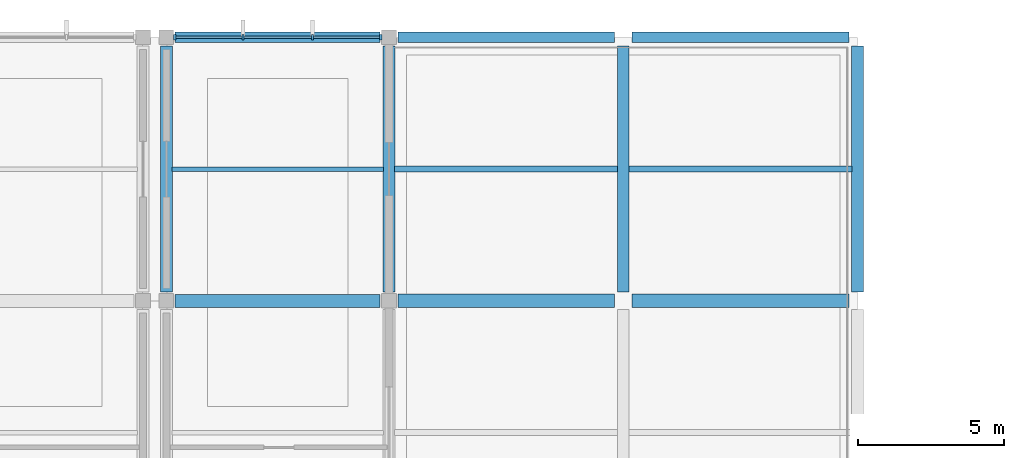
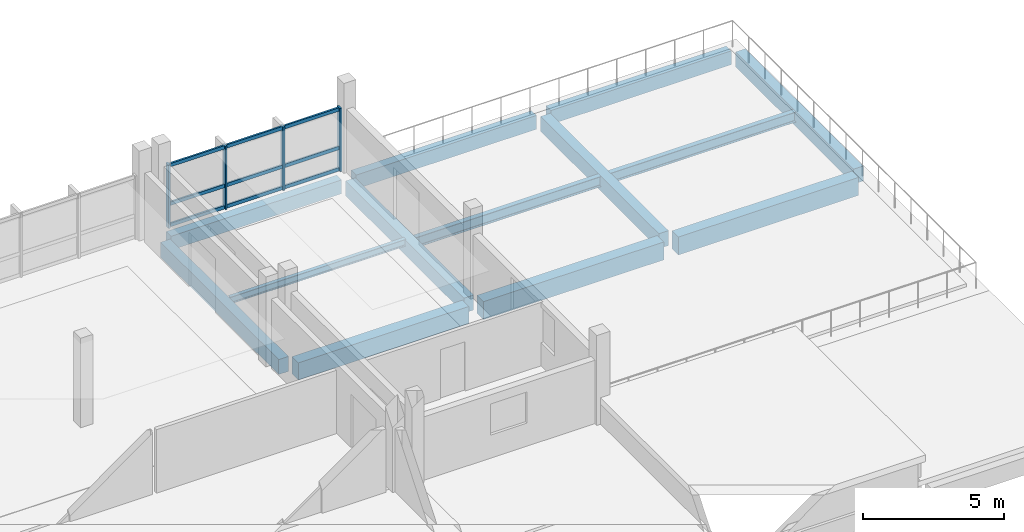
# One storey, part 41 of 57: 13 beams, 13 members, 1 element without a shape of its own.
"""IFC4 building model written with IfcOpenShell, lengths in metres."""

from ifc_helpers import new_model, si_unit, direction, frame, origin, origin_2d, place, context, subcontext, project, spatial, rectangle, i_section, extrude, material, material_profile, profile_set, type_object, element, aggregate, save


model = new_model("IFC4")

# Units and contexts
model_context = context("Model", 3, precision=1e-05, world=origin(), true_north=direction((0.0, 1.0)))
body_context = subcontext(model_context, "Body", "Model", "MODEL_VIEW")
ifc_project = project(units=[si_unit("LENGTHUNIT", "METRE"), si_unit("AREAUNIT", "SQUARE_METRE"), si_unit("VOLUMEUNIT", "CUBIC_METRE"), si_unit("PLANEANGLEUNIT", "RADIAN"), si_unit("MASSUNIT", "GRAM", prefix="KILO"), si_unit("THERMODYNAMICTEMPERATUREUNIT", "KELVIN"), si_unit("POWERUNIT", "WATT")], contexts=[model_context])

# Site, building, storey
site_placement = place(None, origin())
site = spatial("IfcSite", under=ifc_project, at=site_placement, CompositionType="ELEMENT")
building_placement = place(site_placement, origin())
building = spatial("IfcBuilding", under=site, at=building_placement, Name="Kronsvod Quay Wholesale Market", CompositionType="ELEMENT")
storey_placement = place(building_placement, frame((0.0, 0.0, 13.199951171875)))
storey = spatial("IfcBuildingStorey", under=building, at=storey_placement, Name="L03", CompositionType="ELEMENT", Elevation=13.199951171875)

# Beams
ifc_material_1 = material(Name="Precast concrete C40/50", Category="concrete")
ifc_material_profile_1 = material_profile(ifc_material_1, rectangle(XDim=0.39990234375, YDim=0.64990234375, at=origin_2d()), Name="PCB400x650")
ifc_profile_set_1 = profile_set([ifc_material_profile_1], Name="Precast concrete C40/50")
beam_type_1 = type_object("IfcBeamType", Name="Beam_PCB400x650", PredefinedType="BEAM", material=ifc_profile_set_1)
for number, where, z_axis, x_axis, name in (
    (1, (128.39990234375, 117.300048828125, -0.635009765625), (0.0, 1.0, 0.0), (-1.0, 0.0, 0.0), "BMY-L03-1284-1170"),
    (2, (136.0, 117.300048828125, -0.635009765625), (0.0, 1.0, 0.0), (-1.0, 0.0, 0.0), "BMY-L03-1360-1170"),
    (3, (144.0, 117.300048828125, -0.635009765625), (0.0, 1.0, 0.0), (-1.0, 0.0, 0.0), "BMY-L03-1440-1170"),
    (4, (152.0, 117.300048828125, -0.635009765625), (0.0, 1.0, 0.0), (-1.0, 0.0, 0.0), "BMY-L03-1520-1170"),
):
    element("IfcBeam", number, at=place(storey_placement, frame(where, z_axis=z_axis, x_axis=x_axis)), inside=storey, type_object=beam_type_1, Name=name, PredefinedType="BEAM", context=body_context, shape_type="SweptSolid", body=[
        extrude(rectangle(XDim=0.39990234375, YDim=0.64990234375, at=origin_2d()), origin(), (0.0, 0.0, 1.0), 8.39990234375),
    ])
ifc_material_2 = material(Name="Precast concrete C40/50", Category="concrete")
ifc_material_profile_2 = material_profile(ifc_material_2, rectangle(XDim=0.449951171875, YDim=0.75, at=origin_2d()), Name="PCB450x750")
ifc_profile_set_2 = profile_set([ifc_material_profile_2], Name="Precast concrete C40/50")
beam_type_2 = type_object("IfcBeamType", Name="Beam_PCB450x750", PredefinedType="BEAM", material=ifc_profile_set_2)
beam_1_placement = place(storey_placement, frame((128.699951171875, 117.0, -0.68505859375), z_axis=(1.0, 0.0, 0.0), x_axis=(0.0, 1.0, 0.0)))
element("IfcBeam", 5, at=beam_1_placement, inside=storey, type_object=beam_type_2, Name="BMX-L03-1284-1170", PredefinedType="BEAM", context=body_context, shape_type="SweptSolid", body=[
    extrude(rectangle(XDim=0.449951171875, YDim=0.75, at=origin_2d()), origin(), (0.0, 0.0, 1.0), 7.0),
])
ifc_material_3 = material(Name="Precast concrete C40/50", Category="concrete")
ifc_material_profile_3 = material_profile(ifc_material_3, rectangle(XDim=0.4599609375, YDim=0.780029296875, at=origin_2d()), Name="PB-03")
ifc_profile_set_3 = profile_set([ifc_material_profile_3], Name="Precast concrete C40/50")
beam_type_3 = type_object("IfcBeamType", Name="Beam_PCB460x780", PredefinedType="BEAM", material=ifc_profile_set_3)
for number, where, z_axis, x_axis, name in (
    (6, (136.300048828125, 117.0, -0.699951171875), (1.0, 0.0, 0.0), (0.0, 1.0, 0.0), "BMX-L03-1360-1170"),
    (7, (144.300048828125, 117.0, -0.699951171875), (1.0, 0.0, 0.0), (0.0, 1.0, 0.0), "BMX-L03-1440-1170"),
):
    element("IfcBeam", number, at=place(storey_placement, frame(where, z_axis=z_axis, x_axis=x_axis)), inside=storey, type_object=beam_type_3, Name=name, PredefinedType="BEAM", context=body_context, shape_type="SweptSolid", body=[
        extrude(rectangle(XDim=0.4599609375, YDim=0.780029296875, at=origin_2d()), origin(), (0.0, 0.0, 1.0), 7.39990234375),
    ])
ifc_material_4 = material(Name="Steel S355", Category="steel")
ifc_material_profile_4 = material_profile(ifc_material_4, i_section(OverallWidth=0.198974609375, OverallDepth=0.446044921875, WebThickness=0.008056640625, FlangeThickness=0.011962890625, FilletRadius=0.01806640625, at=origin_2d()), Name="45B1")
ifc_profile_set_4 = profile_set([ifc_material_profile_4], Name="Steel S355")
beam_type_4 = type_object("IfcBeamType", Name="Beam_Steel45B1", PredefinedType="BEAM", material=ifc_profile_set_4)
for number, where, z_axis, x_axis, name in (
    (8, (136.195068359375, 121.5, -0.532958984375), (1.0, 0.0, 0.0), (0.0, 1.0, 0.0), "JSTX-L03-1360-1170"),
    (9, (144.195068359375, 121.5, -0.532958984375), (1.0, 0.0, 0.0), (0.0, 1.0, 0.0), "JSTX-L03-1440-1170"),
):
    element("IfcBeam", number, at=place(storey_placement, frame(where, z_axis=z_axis, x_axis=x_axis)), inside=storey, type_object=beam_type_4, Name=name, PredefinedType="BEAM", context=body_context, shape_type="SweptSolid", body=[
        extrude(i_section(OverallWidth=0.198974609375, OverallDepth=0.446044921875, WebThickness=0.008056640625, FlangeThickness=0.011962890625, FilletRadius=0.01806640625, at=origin_2d()), origin(), (0.0, 0.0, 1.0), 7.60986328125),
    ])
ifc_material_5 = material(Name="Steel S355", Category="steel")
ifc_material_profile_5 = material_profile(ifc_material_5, i_section(OverallWidth=0.14990234375, OverallDepth=0.300048828125, WebThickness=0.006591796875, FlangeThickness=0.009033203125, FilletRadius=0.012939453125, at=origin_2d()), Name="30B2")
ifc_profile_set_5 = profile_set([ifc_material_profile_5], Name="Steel S355")
beam_type_5 = type_object("IfcBeamType", Name="Joist_Steel30B2", PredefinedType="JOIST", material=ifc_profile_set_5)
beam_2_placement = place(storey_placement, frame((128.594970703125, 121.5, -0.39990234375), z_axis=(1.0, 0.0, 0.0), x_axis=(0.0, 1.0, 0.0)))
element("IfcBeam", 10, at=beam_2_placement, inside=storey, type_object=beam_type_5, Name="JSTX-L03-1284-1170", PredefinedType="JOIST", context=body_context, shape_type="SweptSolid", body=[
    extrude(i_section(OverallWidth=0.14990234375, OverallDepth=0.300048828125, WebThickness=0.006591796875, FlangeThickness=0.009033203125, FilletRadius=0.012939453125, at=origin_2d()), origin(), (0.0, 0.0, 1.0), 7.2099609375),
])

# Curtain wall, members
ifc_material_6 = material(Name="Thermally broken aluminium and triple low-E glazing", Category="aluminium")
curtain_wall_type = type_object("IfcCurtainWallType", Name="CW_Harbour76x30", PredefinedType="NOTDEFINED", material=ifc_material_6)
curtain_wall_placement = place(storey_placement, origin())
curtain_wall = element("IfcCurtainWall", 11, at=curtain_wall_placement, inside=storey, type_object=curtain_wall_type, Name="CWGX-L03-1284-1260", PredefinedType="NOTDEFINED")
ifc_material_7 = material(Name="Anodised aluminium", Category="aluminium")
ifc_material_profile_6 = material_profile(ifc_material_7, rectangle(XDim=0.074951171875, YDim=0.199951171875, at=origin_2d()), Name="ALUM75x200")
ifc_profile_set_6 = profile_set([ifc_material_profile_6], Name="Anodised aluminium")
member_type_1 = type_object("IfcMemberType", Name="Mullion_ALU75x200", PredefinedType="MULLION", material=ifc_profile_set_6)
member_1_placement = place(storey_placement, frame((135.717529296875, 126.0, 0.0), z_axis=(0.0, 0.0, 1.0), x_axis=(1.0, 0.0, 0.0)))
member_1 = element("IfcMember", 12, at=member_1_placement, type_object=member_type_1, Name="CWGX-L03-1284-1260-M1", PredefinedType="MULLION", context=body_context, shape_type="SweptSolid", body=[
    extrude(rectangle(XDim=0.074951171875, YDim=0.199951171875, at=origin_2d()), origin(), (0.0, 0.0, 1.0), 2.75),
])
member_2_placement = place(storey_placement, frame((133.385009765625, 126.0, 0.0), z_axis=(0.0, 0.0, 1.0), x_axis=(1.0, 0.0, 0.0)))
member_2 = element("IfcMember", 13, at=member_2_placement, type_object=member_type_1, Name="CWGX-L03-1284-1260-M2", PredefinedType="MULLION", context=body_context, shape_type="SweptSolid", body=[
    extrude(rectangle(XDim=0.074951171875, YDim=0.199951171875, at=origin_2d()), origin(), (0.0, 0.0, 1.0), 2.75),
])
member_3_placement = place(storey_placement, frame((131.014892578125, 126.0, 0.0), z_axis=(0.0, 0.0, 1.0), x_axis=(1.0, 0.0, 0.0)))
member_3 = element("IfcMember", 14, at=member_3_placement, type_object=member_type_1, Name="CWGX-L03-1284-1260-M3", PredefinedType="MULLION", context=body_context, shape_type="SweptSolid", body=[
    extrude(rectangle(XDim=0.074951171875, YDim=0.199951171875, at=origin_2d()), origin(), (0.0, 0.0, 1.0), 2.75),
])
member_4_placement = place(storey_placement, frame((128.6826171875, 126.0, 0.0), z_axis=(0.0, 0.0, 1.0), x_axis=(1.0, 0.0, 0.0)))
member_4 = element("IfcMember", 15, at=member_4_placement, type_object=member_type_1, Name="CWGX-L03-1284-1260-M4", PredefinedType="MULLION", context=body_context, shape_type="SweptSolid", body=[
    extrude(rectangle(XDim=0.074951171875, YDim=0.199951171875, at=origin_2d()), origin(), (0.0, 0.0, 1.0), 2.75),
])

# Beams
ifc_material_8 = material(Name="Precast concrete C40/50", Category="concrete")
ifc_material_profile_7 = material_profile(ifc_material_8, rectangle(XDim=0.35009765625, YDim=0.60009765625, at=origin_2d()), Name="PCSP350x600")
ifc_profile_set_7 = profile_set([ifc_material_profile_7], Name="Precast concrete C40/50")
beam_type_6 = type_object("IfcBeamType", Name="Spandrel_PCSP350x600", PredefinedType="SPANDREL", material=ifc_profile_set_7)
beam_3_placement = place(storey_placement, frame((128.699951171875, 126.0, -0.60986328125), z_axis=(1.0, 0.0, 0.0), x_axis=(0.0, 1.0, 0.0)))
element("IfcBeam", 16, at=beam_3_placement, inside=storey, type_object=beam_type_6, Name="BMX-L03-1284-1260", PredefinedType="SPANDREL", context=body_context, shape_type="SweptSolid", body=[
    extrude(rectangle(XDim=0.35009765625, YDim=0.60009765625, at=origin_2d()), origin(), (0.0, 0.0, 1.0), 7.0),
])
for number, where, z_axis, x_axis, name in (
    (17, (136.300048828125, 126.0, -0.60986328125), (1.0, 0.0, 0.0), (0.0, 1.0, 0.0), "BMX-L03-1360-1260"),
    (18, (144.300048828125, 126.0, -0.60986328125), (1.0, 0.0, 0.0), (0.0, 1.0, 0.0), "BMX-L03-1440-1260"),
):
    element("IfcBeam", number, at=place(storey_placement, frame(where, z_axis=z_axis, x_axis=x_axis)), inside=storey, type_object=beam_type_6, Name=name, PredefinedType="SPANDREL", context=body_context, shape_type="SweptSolid", body=[
        extrude(rectangle(XDim=0.35009765625, YDim=0.60009765625, at=origin_2d()), origin(), (0.0, 0.0, 1.0), 7.39990234375),
    ])

# Member
ifc_material_9 = material(Name="Anodised aluminium", Category="aluminium")
ifc_material_profile_8 = material_profile(ifc_material_9, rectangle(XDim=0.074951171875, YDim=0.14990234375, at=origin_2d()), Name="ALUT75x150")
ifc_profile_set_8 = profile_set([ifc_material_profile_8], Name="Anodised aluminium")
member_type_2 = type_object("IfcMemberType", Name="Transom_ALU75x150", PredefinedType="USERDEFINED", material=ifc_profile_set_8)
member_5_placement = place(storey_placement, frame((135.679931640625, 126.0, 0.074951171875), z_axis=(-1.0, 0.0, 0.0), x_axis=(0.0, -1.0, 0.0)))
member_5 = element("IfcMember", 19, at=member_5_placement, type_object=member_type_2, Name="CWGX-L03-1284-1260-T1B1", ObjectType="TRANSOM", PredefinedType="USERDEFINED", context=body_context, shape_type="SweptSolid", body=[
    extrude(rectangle(XDim=0.074951171875, YDim=0.14990234375, at=origin_2d()), origin(), (0.0, 0.0, 1.0), 2.25732421875),
])

member_6_placement = place(storey_placement, frame((133.347412109375, 126.0, 0.074951171875), z_axis=(-1.0, 0.0, 0.0), x_axis=(0.0, -1.0, 0.0)))
member_6 = element("IfcMember", 20, at=member_6_placement, type_object=member_type_2, Name="CWGX-L03-1284-1260-T1B2", ObjectType="TRANSOM", PredefinedType="USERDEFINED", context=body_context, shape_type="SweptSolid", body=[
    extrude(rectangle(XDim=0.074951171875, YDim=0.14990234375, at=origin_2d()), origin(), (0.0, 0.0, 1.0), 2.294921875),
])

member_7_placement = place(storey_placement, frame((130.9775390625, 126.0, 0.074951171875), z_axis=(-1.0, 0.0, 0.0), x_axis=(0.0, -1.0, 0.0)))
member_7 = element("IfcMember", 21, at=member_7_placement, type_object=member_type_2, Name="CWGX-L03-1284-1260-T1B3", ObjectType="TRANSOM", PredefinedType="USERDEFINED", context=body_context, shape_type="SweptSolid", body=[
    extrude(rectangle(XDim=0.074951171875, YDim=0.14990234375, at=origin_2d()), origin(), (0.0, 0.0, 1.0), 2.257568359375),
])

member_8_placement = place(storey_placement, frame((135.679931640625, 126.0, 1.0), z_axis=(-1.0, 0.0, 0.0), x_axis=(0.0, -1.0, 0.0)))
member_8 = element("IfcMember", 22, at=member_8_placement, type_object=member_type_2, Name="CWGX-L03-1284-1260-T2B1", ObjectType="TRANSOM", PredefinedType="USERDEFINED", context=body_context, shape_type="SweptSolid", body=[
    extrude(rectangle(XDim=0.074951171875, YDim=0.14990234375, at=origin_2d()), origin(), (0.0, 0.0, 1.0), 2.25732421875),
])

member_9_placement = place(storey_placement, frame((133.347412109375, 126.0, 1.0), z_axis=(-1.0, 0.0, 0.0), x_axis=(0.0, -1.0, 0.0)))
member_9 = element("IfcMember", 23, at=member_9_placement, type_object=member_type_2, Name="CWGX-L03-1284-1260-T2B2", ObjectType="TRANSOM", PredefinedType="USERDEFINED", context=body_context, shape_type="SweptSolid", body=[
    extrude(rectangle(XDim=0.074951171875, YDim=0.14990234375, at=origin_2d()), origin(), (0.0, 0.0, 1.0), 2.294921875),
])

member_10_placement = place(storey_placement, frame((130.9775390625, 126.0, 1.0), z_axis=(-1.0, 0.0, 0.0), x_axis=(0.0, -1.0, 0.0)))
member_10 = element("IfcMember", 24, at=member_10_placement, type_object=member_type_2, Name="CWGX-L03-1284-1260-T2B3", ObjectType="TRANSOM", PredefinedType="USERDEFINED", context=body_context, shape_type="SweptSolid", body=[
    extrude(rectangle(XDim=0.074951171875, YDim=0.14990234375, at=origin_2d()), origin(), (0.0, 0.0, 1.0), 2.257568359375),
])

member_11_placement = place(storey_placement, frame((135.679931640625, 126.0, 2.675048828125), z_axis=(-1.0, 0.0, 0.0), x_axis=(0.0, -1.0, 0.0)))
member_11 = element("IfcMember", 25, at=member_11_placement, type_object=member_type_2, Name="CWGX-L03-1284-1260-T3B1", ObjectType="TRANSOM", PredefinedType="USERDEFINED", context=body_context, shape_type="SweptSolid", body=[
    extrude(rectangle(XDim=0.074951171875, YDim=0.14990234375, at=origin_2d()), origin(), (0.0, 0.0, 1.0), 2.25732421875),
])

member_12_placement = place(storey_placement, frame((133.347412109375, 126.0, 2.675048828125), z_axis=(-1.0, 0.0, 0.0), x_axis=(0.0, -1.0, 0.0)))
member_12 = element("IfcMember", 26, at=member_12_placement, type_object=member_type_2, Name="CWGX-L03-1284-1260-T3B2", ObjectType="TRANSOM", PredefinedType="USERDEFINED", context=body_context, shape_type="SweptSolid", body=[
    extrude(rectangle(XDim=0.074951171875, YDim=0.14990234375, at=origin_2d()), origin(), (0.0, 0.0, 1.0), 2.294921875),
])

member_13_placement = place(storey_placement, frame((130.9775390625, 126.0, 2.675048828125), z_axis=(-1.0, 0.0, 0.0), x_axis=(0.0, -1.0, 0.0)))
member_13 = element("IfcMember", 27, at=member_13_placement, type_object=member_type_2, Name="CWGX-L03-1284-1260-T3B3", ObjectType="TRANSOM", PredefinedType="USERDEFINED", context=body_context, shape_type="SweptSolid", body=[
    extrude(rectangle(XDim=0.074951171875, YDim=0.14990234375, at=origin_2d()), origin(), (0.0, 0.0, 1.0), 2.257568359375),
])

aggregate(curtain_wall, [member_1, member_2, member_3, member_4, member_5, member_6, member_7, member_8, member_9, member_10, member_11, member_12, member_13])

save(model, "model.ifc")
